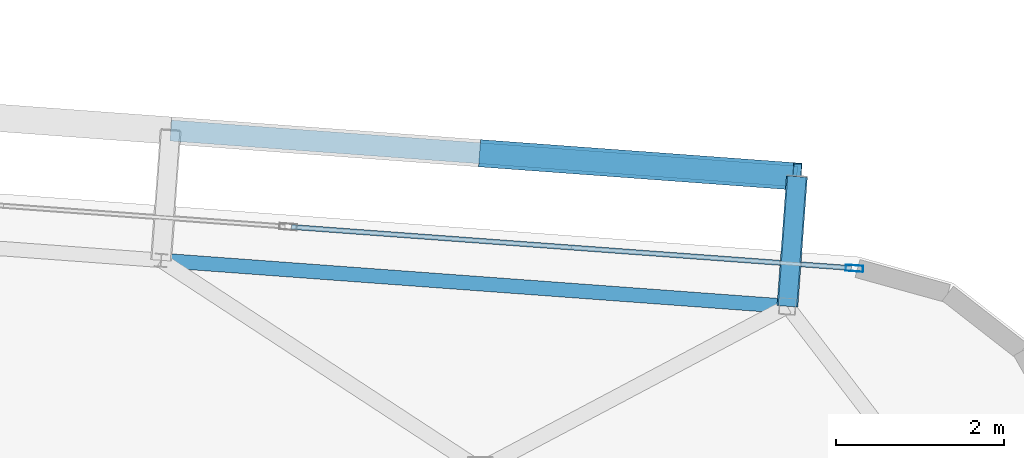
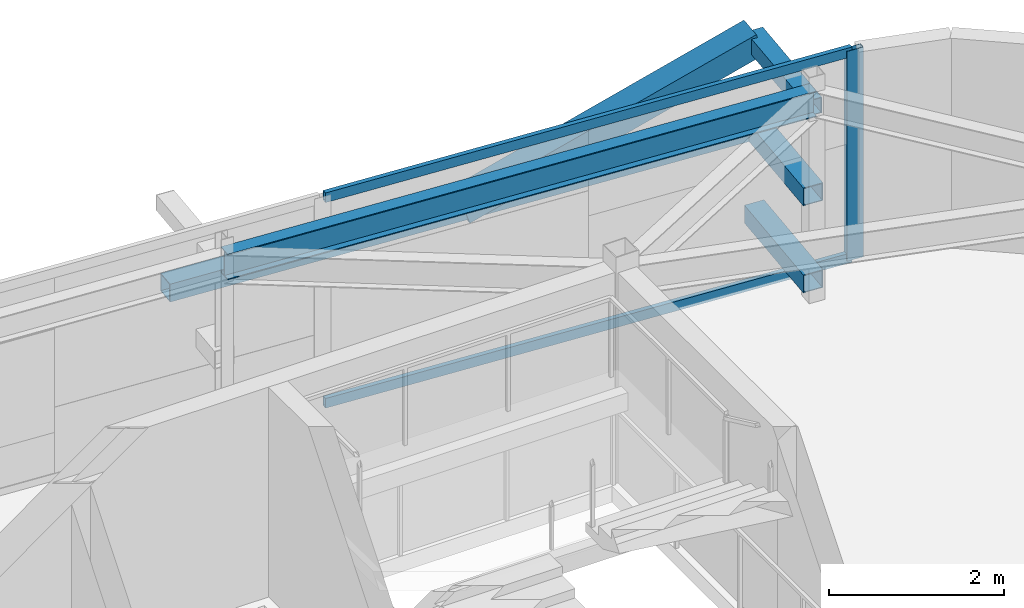
# One storey, part 23 of 36: 8 members, 1 beam, 1 element without a shape of its own.
"""IFC4 building model written with IfcOpenShell, lengths in metres."""

import ifcopenshell
import ifcopenshell.guid

model = None  # the IFC model being written
_history = None  # IfcOwnerHistory: only IFC2X3 demands one
_inside = {}  # id of a spatial element -> (the spatial element, [elements in it])
_under = {}  # id of a project, library or spatial element -> (it, [spatial elements below it])
_declared = {}  # id of a project -> (the project, [libraries it declares])
_typed = {}  # id of a type object -> (the type object, [elements of that type])
_made_of = {}  # id of a material, layer set ... -> (it, [elements and type objects made of it])


def new_model(schema):
    """Start an empty IFC model of exactly this schema.

    Asked for "IFC4X3", IfcOpenShell would pick the latest addendum, in which some entities
    have other attributes; the version numbers below select the first issue.
    IFC2X3 requires an IfcOwnerHistory on every rooted entity: one is made here for all.
    """
    global model, _history
    if schema == "IFC4X3":
        model = ifcopenshell.file(schema_version=(4, 3, 0, 0))
    else:
        model = ifcopenshell.file(schema=schema)
    _inside.clear()
    _under.clear()
    _declared.clear()
    _typed.clear()
    _made_of.clear()
    _history = None
    if model.schema == "IFC2X3":
        org = make("IfcOrganization", Name="unknown")
        user = make(
            "IfcPersonAndOrganization",
            ThePerson=make("IfcPerson", FamilyName="unknown"),
            TheOrganization=org,
        )
        app = make(
            "IfcApplication",
            ApplicationDeveloper=org,
            Version="unknown",
            ApplicationFullName="unknown",
            ApplicationIdentifier="unknown",
        )
        _history = make(
            "IfcOwnerHistory",
            OwningUser=user,
            OwningApplication=app,
            ChangeAction="ADDED",
            CreationDate=0,
        )
    return model


def make(cls, **values):
    """One entity of the class cls with the attributes given. An attribute that is None is left unset."""
    return model.create_entity(
        cls, **{name: value for name, value in values.items() if value is not None}
    )


def rooted(cls, **values):
    """An entity with a GlobalId (a new one), such as an element, a storey or a relation."""
    return make(cls, GlobalId=ifcopenshell.guid.new(), OwnerHistory=_history, **values)


def si_unit(unit_type, name, prefix=None):
    """IfcSIUnit, for example si_unit("LENGTHUNIT", "METRE", prefix="MILLI")."""
    return make("IfcSIUnit", UnitType=unit_type, Prefix=prefix, Name=name)


def assignment(units):
    """IfcUnitAssignment: the units of a project."""
    return None if units is None else make("IfcUnitAssignment", Units=units)


def point(xyz):
    """IfcCartesianPoint."""
    return None if xyz is None else make("IfcCartesianPoint", Coordinates=xyz)


def direction(xyz):
    """IfcDirection."""
    return None if xyz is None else make("IfcDirection", DirectionRatios=xyz)


def frame(location, z_axis=None, x_axis=None):
    """IfcAxis2Placement3D, a coordinate frame: its origin and axes. An axis left out is left unset."""
    return make(
        "IfcAxis2Placement3D",
        Location=point(location),
        Axis=direction(z_axis),
        RefDirection=direction(x_axis),
    )


def frame_2d(location, x_axis=None):
    """IfcAxis2Placement2D, a coordinate frame in the plane: its origin and x axis."""
    return make(
        "IfcAxis2Placement2D", Location=point(location), RefDirection=direction(x_axis)
    )


def origin():
    """The frame at (0, 0, 0) with its axes left unset."""
    return frame((0.0, 0.0, 0.0))


def origin_2d():
    """The frame at (0, 0) in the plane with its x axis left unset."""
    return frame_2d((0.0, 0.0))


def place(relative_to, where):
    """IfcLocalPlacement: puts the frame where relative to a parent placement (None: the world)."""
    return make(
        "IfcLocalPlacement", PlacementRelTo=relative_to, RelativePlacement=where
    )


def context(
    kind, dimensions, precision=None, world=None, true_north=None, identifier=None
):
    """IfcGeometricRepresentationContext, for example the 3D "Model" context."""
    return make(
        "IfcGeometricRepresentationContext",
        ContextIdentifier=identifier,
        ContextType=kind,
        CoordinateSpaceDimension=dimensions,
        Precision=precision,
        WorldCoordinateSystem=world,
        TrueNorth=true_north,
    )


def subcontext(parent, identifier, kind, view, scale=None):
    """IfcGeometricRepresentationSubContext, for example "Body" below "Model"."""
    return make(
        "IfcGeometricRepresentationSubContext",
        ContextIdentifier=identifier,
        ContextType=kind,
        ParentContext=parent,
        TargetScale=scale,
        TargetView=view,
    )


def project(units=None, contexts=None):
    """IfcProject with its units and contexts."""
    return rooted(
        "IfcProject",
        Name="project",
        RepresentationContexts=contexts,
        UnitsInContext=assignment(units),
    )


def spatial(cls, under=None, at=None, **own):
    """A site, building, storey or space (cls), placed at a placement, below another one or the project."""
    s = rooted(cls, ObjectPlacement=at, **own)
    if under is not None:
        _under.setdefault(under.id(), (under, []))[1].append(s)
    return s


def profile(cls, at=None, kind="AREA", **sizes):
    """A parametric profile (cls). Its sizes go by their IFC names, for example OverallWidth=200.0."""
    return make(cls, ProfileType=kind, Position=at, **sizes)


def hollow_rectangle(**sizes):
    """IfcRectangleHollowProfileDef."""
    return profile("IfcRectangleHollowProfileDef", **sizes)


def i_section(**sizes):
    """IfcIShapeProfileDef."""
    return profile("IfcIShapeProfileDef", **sizes)


def extrude(swept, where, along, depth):
    """IfcExtrudedAreaSolid: the profile swept, set in the frame where, extruded along a direction by depth."""
    return make(
        "IfcExtrudedAreaSolid",
        SweptArea=swept,
        Position=where,
        ExtrudedDirection=direction(along),
        Depth=depth,
    )


def shape(context_of_items, identifier, shape_type, items):
    """IfcShapeRepresentation: the items that make up one representation, for example the "Body"."""
    return make(
        "IfcShapeRepresentation",
        ContextOfItems=context_of_items,
        RepresentationIdentifier=identifier,
        RepresentationType=shape_type,
        Items=items,
    )


def source(mapping_origin, context_of_items, identifier, shape_type, items):
    """IfcRepresentationMap: a shape defined once, which mapped items show again and again."""
    return make(
        "IfcRepresentationMap",
        MappingOrigin=mapping_origin,
        MappedRepresentation=shape(context_of_items, identifier, shape_type, items),
    )


def transform(
    local_origin,
    x_axis=None,
    y_axis=None,
    z_axis=None,
    scale=None,
    scale2=None,
    scale3=None,
    uniform=True,
):
    """IfcCartesianTransformationOperator3D, or its non-uniform kind. x_axis, y_axis, z_axis: its Axis1, 2, 3."""
    if uniform:
        return make(
            "IfcCartesianTransformationOperator3D",
            Axis1=direction(x_axis),
            Axis2=direction(y_axis),
            LocalOrigin=point(local_origin),
            Scale=scale,
            Axis3=direction(z_axis),
        )
    return make(
        "IfcCartesianTransformationOperator3DnonUniform",
        Axis1=direction(x_axis),
        Axis2=direction(y_axis),
        LocalOrigin=point(local_origin),
        Scale=scale,
        Axis3=direction(z_axis),
        Scale2=scale2,
        Scale3=scale3,
    )


def mapped(mapping_source, mapping_target):
    """IfcMappedItem: shows the shape of a source again, moved by a transform."""
    return make(
        "IfcMappedItem", MappingSource=mapping_source, MappingTarget=mapping_target
    )


def material(Name=None, Category=None):
    """IfcMaterial."""
    return make("IfcMaterial", Name=Name, Category=Category)


def layer(
    of_material, thickness, ventilated=None, Name=None, Category=None, Priority=None
):
    """IfcMaterialLayer: one layer of a wall or slab, of a material (None: an air gap)."""
    return make(
        "IfcMaterialLayer",
        Material=of_material,
        LayerThickness=thickness,
        IsVentilated=ventilated,
        Name=Name,
        Category=Category,
        Priority=Priority,
    )


def layer_set(layers, Name=None):
    """IfcMaterialLayerSet."""
    return make("IfcMaterialLayerSet", MaterialLayers=layers, LayerSetName=Name)


def material_profile(
    of_material, cross_section, Name=None, Category=None, Priority=None
):
    """IfcMaterialProfile: a cross section and its material."""
    return make(
        "IfcMaterialProfile",
        Name=Name,
        Material=of_material,
        Profile=cross_section,
        Priority=Priority,
        Category=Category,
    )


def profile_set(profiles, Name=None, composite=None):
    """IfcMaterialProfileSet."""
    return make(
        "IfcMaterialProfileSet",
        Name=Name,
        MaterialProfiles=profiles,
        CompositeProfile=composite,
    )


def made_of(thing, what):
    """Note that an element or type object is made of a material, layer set ...; save() writes the relation."""
    if what is not None:
        _made_of.setdefault(what.id(), (what, []))[1].append(thing)
    return thing


def type_object(cls, material=None, **own):
    """A type object (cls), such as IfcWallType, which elements share."""
    return made_of(rooted(cls, **own), material)


def element(
    cls,
    number,
    at=None,
    inside=None,
    cuts=None,
    type_object=None,
    material=None,
    context=None,
    identifier="Body",
    shape_type=None,
    held_by="IfcProductDefinitionShape",
    body=None,
    shapes=None,
    **own,
):
    """One element of the class cls, such as IfcWall. Its Tag is "e" and its number.

    at: its placement. inside: the storey or other place that contains it. cuts: it is an
    opening in that element (IfcRelVoidsElement). A single representation is given by context,
    identifier, shape_type and body (its items); several are given by shapes. held_by: the class
    of the entity that holds the representations. save() writes the other relations.
    """
    e = rooted(cls, Tag="e%d" % number, ObjectPlacement=at, **own)
    if body is not None:
        shapes = [shape(context, identifier, shape_type, body)]
    if shapes is not None:
        e.Representation = make(held_by, Representations=shapes)
    if inside is not None:
        _inside.setdefault(inside.id(), (inside, []))[1].append(e)
    if cuts is not None:
        rooted(
            "IfcRelVoidsElement", RelatingBuildingElement=cuts, RelatedOpeningElement=e
        )
    if type_object is not None:
        _typed.setdefault(type_object.id(), (type_object, []))[1].append(e)
    return made_of(e, material)


def aggregate(whole, parts):
    """IfcRelAggregates: a whole, such as a stair, and the parts it consists of."""
    return rooted("IfcRelAggregates", RelatingObject=whole, RelatedObjects=parts)


def save(model, path):
    """Write the relations noted so far, then the file.

    IfcRelAggregates (storeys below a building ...), IfcRelContainedInSpatialStructure (elements
    in a storey), IfcRelDefinesByType, IfcRelAssociatesMaterial and IfcRelDeclares: one each for
    every whole, place, type object, material and project.
    """
    for whole, parts in _under.values():
        aggregate(whole, parts)
    for where, things in _inside.values():
        rooted(
            "IfcRelContainedInSpatialStructure",
            RelatedElements=things,
            RelatingStructure=where,
        )
    for kind, things in _typed.values():
        rooted("IfcRelDefinesByType", RelatedObjects=things, RelatingType=kind)
    for what, things in _made_of.values():
        rooted("IfcRelAssociatesMaterial", RelatedObjects=things, RelatingMaterial=what)
    for by, libraries in _declared.values():
        rooted("IfcRelDeclares", RelatingContext=by, RelatedDefinitions=libraries)
    model.write(path)


model = new_model("IFC4")

# Units and contexts
model_context = context("Model", 3, precision=1e-05, world=origin(), true_north=direction((0.0, 1.0)))
body_context = subcontext(model_context, "Body", "Model", "MODEL_VIEW")
ifc_project = project(units=[si_unit("LENGTHUNIT", "METRE"), si_unit("AREAUNIT", "SQUARE_METRE"), si_unit("VOLUMEUNIT", "CUBIC_METRE"), si_unit("PLANEANGLEUNIT", "RADIAN"), si_unit("MASSUNIT", "GRAM", prefix="KILO")], contexts=[model_context])

# Site, building, storey
site_placement = place(None, origin())
site = spatial("IfcSite", under=ifc_project, at=site_placement, CompositionType="ELEMENT")
building_placement = place(site_placement, origin())
building = spatial("IfcBuilding", under=site, at=building_placement, Name="Taldren Reach Tower", CompositionType="ELEMENT")
storey_placement = place(building_placement, frame((0.0, 0.0, 227.14990234375)))
storey = spatial("IfcBuildingStorey", under=building, at=storey_placement, Name="L69", CompositionType="ELEMENT", Elevation=227.14990234375)

# Members
ifc_material_1 = material(Name="Steel Gr 350 (C350L0)", Category="steel")
ifc_material_profile_1 = material_profile(ifc_material_1, hollow_rectangle(XDim=0.25, YDim=0.25, WallThickness=0.010009765625, at=origin_2d()), Name="250x250x10.0SHS")
ifc_profile_set_1 = profile_set([ifc_material_profile_1], Name="Steel Gr 350 (C350L0)")
member_type_1 = type_object("IfcMemberType", Name="MB-POST250", PredefinedType="POST", material=ifc_profile_set_1)
shared_shape_1 = source(origin(), body_context, "Body", "SweptSolid", [
    extrude(hollow_rectangle(XDim=0.25, YDim=0.25, WallThickness=0.010009765625, at=origin_2d()), origin(), (0.0, 0.0, 1.0), 1.550048828125),
])
for number, where, z_axis, x_axis, name in (
    (1, (54.659423828125, 33.939697265625, 0.22021484375), (0.07323929162, 0.997314396849, 0.0), (-0.997314396849, 0.07323929162, 0.0), "Exoskeleton base diaphragm tie strut B5-N6 L69"),
    (2, (54.659423828125, 33.939697265625, 1.43505859375), (0.07323929162, 0.997314396849, 0.0), (-0.997314396849, 0.07323929162, 0.0), "Exoskeleton mid-tier diaphragm tie B5-N6 L69"),
):
    element("IfcMember", number, at=place(storey_placement, frame(where, z_axis=z_axis, x_axis=x_axis)), inside=storey, type_object=member_type_1, Name=name, PredefinedType="POST", context=body_context, shape_type="MappedRepresentation", body=[
        mapped(shared_shape_1, transform((0.0, 0.0, 0.0), scale=1.0)),
    ])
ifc_material_2 = material(Name="Steel Gr 450 (C450L0)", Category="steel")
ifc_material_profile_2 = material_profile(ifc_material_2, hollow_rectangle(XDim=0.219970703125, YDim=0.219970703125, WallThickness=0.00830078125, at=origin_2d()), Name="220x220x8.2SHS")
ifc_profile_set_2 = profile_set([ifc_material_profile_2], Name="Steel Gr 450 (C450L0)")
member_type_2 = type_object("IfcMemberType", Name="MB-TIE219", PredefinedType="STRUT", material=ifc_profile_set_2)
shared_shape_2 = source(origin(), body_context, "Body", "SweptSolid", [
    extrude(hollow_rectangle(XDim=0.219970703125, YDim=0.219970703125, WallThickness=0.00830078125, at=origin_2d()), origin(), (0.0, 0.0, 1.0), 1.550048828125),
])
member_1_placement = place(storey_placement, frame((54.659423828125, 33.939697265625, 2.650146484375), z_axis=(0.07323929162, 0.997314396849, 0.0), x_axis=(-0.997314396849, 0.07323929162, 0.0)))
element("IfcMember", 3, at=member_1_placement, inside=storey, type_object=member_type_2, Name="Exoskeleton diaphragm tie strut B5-N6 L69", PredefinedType="STRUT", context=body_context, shape_type="MappedRepresentation", body=[
    mapped(shared_shape_2, transform((0.0, 0.0, 0.0), scale=1.0)),
])

# Beam
ifc_material_3 = material(Name="Steel Gr 350 (350PLUS)", Category="steel")
ifc_material_profile_3 = material_profile(ifc_material_3, i_section(OverallWidth=0.172119140625, OverallDepth=0.35888671875, WebThickness=0.008056640625, FlangeThickness=0.012939453125, at=origin_2d()), Name="360UB56.7")
ifc_profile_set_3 = profile_set([ifc_material_profile_3], Name="Steel Gr 350 (350PLUS)")
beam_type = type_object("IfcBeamType", Name="SP-UB360", PredefinedType="SPANDREL", material=ifc_profile_set_3)
shared_shape_3 = source(origin(), body_context, "Body", "SweptSolid", [
    extrude(i_section(OverallWidth=0.172119140625, OverallDepth=0.35888671875, WebThickness=0.008056640625, FlangeThickness=0.012939453125, at=origin_2d()), origin(), (0.0, 0.0, 1.0), 7.47998046875),
])
beam_placement = place(storey_placement, frame((54.659423828125, 33.939697265625, 2.75048828125), z_axis=(-0.997314220642, 0.07324169103, 0.0), x_axis=(-0.07324169103, -0.997314220642, 0.0)))
element("IfcBeam", 4, at=beam_placement, inside=storey, type_object=beam_type, Name="Perimeter spandrel B5 N6-N5 L69", PredefinedType="SPANDREL", context=body_context, shape_type="MappedRepresentation", body=[
    mapped(shared_shape_3, transform((0.0, 0.0, 0.0), scale=1.0)),
])

# Members
ifc_material_profile_4 = material_profile(ifc_material_2, hollow_rectangle(XDim=0.324951171875, YDim=0.324951171875, WallThickness=0.0126953125, at=origin_2d()), Name="325x325x12.7SHS")
ifc_profile_set_4 = profile_set([ifc_material_profile_4], Name="Steel Gr 450 (C450L0)")
member_type_3 = type_object("IfcMemberType", Name="MB-BR324", PredefinedType="BRACE", material=ifc_profile_set_4)
shared_shape_4 = source(origin(), body_context, "Body", "SweptSolid", [
    extrude(hollow_rectangle(XDim=0.324951171875, YDim=0.324951171875, WallThickness=0.0126953125, at=origin_2d()), origin(), (0.0, 0.0, 1.0), 3.932373046875),
])
member_2_placement = place(storey_placement, frame((51.04296875, 35.759521484375, 1.43505859375), z_axis=(0.948511132845, -0.069657644394, 0.308989390507), x_axis=(0.07324169103, 0.997314220642, 0.0)))
element("IfcMember", 5, at=member_2_placement, inside=storey, type_object=member_type_3, Name="Exoskeleton Diagrid Brace B5-N4 L69", PredefinedType="BRACE", context=body_context, shape_type="MappedRepresentation", body=[
    mapped(shared_shape_4, transform((0.0, 0.0, 0.0), scale=1.0)),
])
shared_shape_5 = source(origin(), body_context, "Body", "SweptSolid", [
    extrude(hollow_rectangle(XDim=0.25, YDim=0.25, WallThickness=0.010009765625, at=origin_2d()), origin(), (0.0, 0.0, 1.0), 7.47998046875),
])
member_3_placement = place(storey_placement, frame((47.31298828125, 36.033447265625, 1.43505859375), z_axis=(0.997314220642, -0.07324169103, 0.0), x_axis=(0.07324169103, 0.997314220642, 0.0)))
element("IfcMember", 6, at=member_3_placement, inside=storey, type_object=member_type_1, Name="Exoskeleton mid-height ring chord B5-N4 L69", PredefinedType="POST", context=body_context, shape_type="MappedRepresentation", body=[
    mapped(shared_shape_5, transform((0.0, 0.0, 0.0), scale=1.0)),
])

# Curtain wall, members
ifc_material_4 = material(Name="Aluminium and Low-E Glass Unitised System", Category="aluminium")
ifc_layer = layer(ifc_material_4, 0.159912109375)
ifc_layer_set = layer_set([ifc_layer], Name="Aluminium and Low-E Glass Unitised System")
curtain_wall_type = type_object("IfcCurtainWallType", Name="CW-SYS-7", PredefinedType="NOTDEFINED", material=ifc_layer_set)
curtain_wall_placement = place(storey_placement, origin())
curtain_wall = element("IfcCurtainWall", 7, at=curtain_wall_placement, inside=storey, type_object=curtain_wall_type, Name="Unitised curtain wall CW-L69-NEWING", PredefinedType="NOTDEFINED")
ifc_material_5 = material(Name="Anodised Aluminium 6063-T6", Category="aluminium")
ifc_material_profile_5 = material_profile(ifc_material_5, hollow_rectangle(XDim=0.074951171875, YDim=0.2099609375, WallThickness=0.00439453125, at=origin_2d()), Name="ALU-210x75x4.5RHS")
ifc_profile_set_5 = profile_set([ifc_material_profile_5], Name="Anodised Aluminium 6063-T6")
member_type_4 = type_object("IfcMemberType", Name="CW-MUL-200", PredefinedType="MULLION", material=ifc_profile_set_5)
shared_shape_6 = source(origin(), body_context, "Body", "SweptSolid", [
    extrude(hollow_rectangle(XDim=0.074951171875, YDim=0.2099609375, WallThickness=0.00439453125, at=origin_2d()), origin(), (0.0, 0.0, 1.0), 2.93017578125),
])
member_4_placement = place(storey_placement, frame((55.45703125, 34.392578125, 0.0), z_axis=(0.0, 0.0, 1.0), x_axis=(-0.073238215265, -0.997314475893, 0.0)))
member_4 = element("IfcMember", 8, at=member_4_placement, type_object=member_type_4, Name="CW-7 mullion 1", PredefinedType="MULLION", context=body_context, shape_type="MappedRepresentation", body=[
    mapped(shared_shape_6, transform((0.0, 0.0, 0.0), scale=1.0)),
])
ifc_material_profile_6 = material_profile(ifc_material_5, hollow_rectangle(XDim=0.06005859375, YDim=0.135009765625, WallThickness=0.00341796875, at=origin_2d()), Name="ALU-135x60x3.5RHS")
ifc_profile_set_6 = profile_set([ifc_material_profile_6], Name="Anodised Aluminium 6063-T6")
member_type_5 = type_object("IfcMemberType", Name="CW-TRN-150", PredefinedType="USERDEFINED", material=ifc_profile_set_6)
shared_shape_7 = source(origin(), body_context, "Body", "SweptSolid", [
    extrude(hollow_rectangle(XDim=0.06005859375, YDim=0.135009765625, WallThickness=0.00341796875, at=origin_2d()), origin(), (0.0, 0.0, 1.0), 6.687255859375),
])
member_5_placement = place(storey_placement, frame((55.419677734375, 34.395263671875, 0.030029296875), z_axis=(-0.997314570781, 0.073236923124, 0.0), x_axis=(-0.073236923124, -0.997314570781, 0.0)))
member_5 = element("IfcMember", 9, at=member_5_placement, type_object=member_type_5, Name="CW-7 transom 1.1", ObjectType="TRANSOM", PredefinedType="USERDEFINED", context=body_context, shape_type="MappedRepresentation", body=[
    mapped(shared_shape_7, transform((0.0, 0.0, 0.0), scale=1.0)),
])
member_6_placement = place(storey_placement, frame((55.419677734375, 34.395263671875, 2.900146484375), z_axis=(-0.997314570781, 0.073236923124, 0.0), x_axis=(-0.073236923124, -0.997314570781, 0.0)))
member_6 = element("IfcMember", 10, at=member_6_placement, type_object=member_type_5, Name="CW-7 transom 1.2", ObjectType="TRANSOM", PredefinedType="USERDEFINED", context=body_context, shape_type="MappedRepresentation", body=[
    mapped(shared_shape_7, transform((0.0, 0.0, 0.0), scale=1.0)),
])
aggregate(curtain_wall, [member_4, member_5, member_6])

save(model, "model.ifc")
